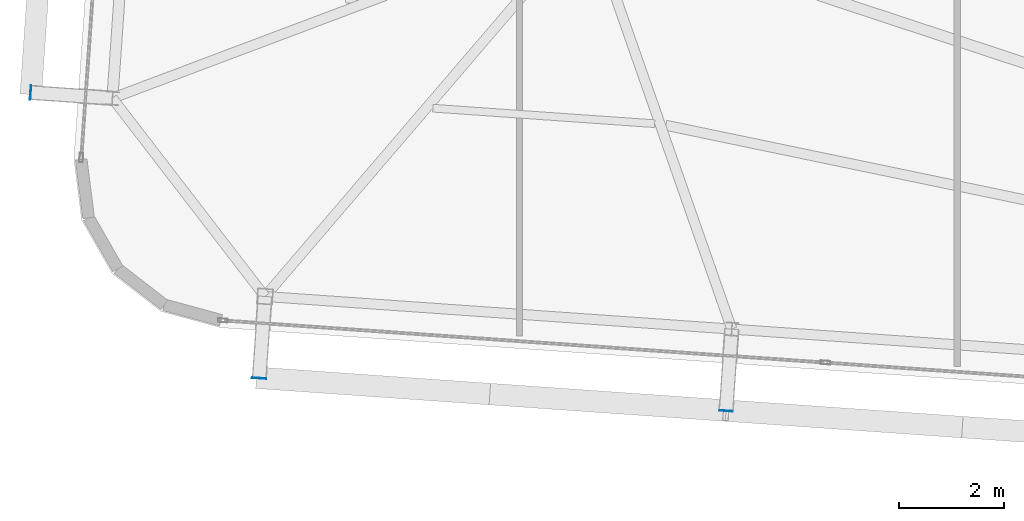
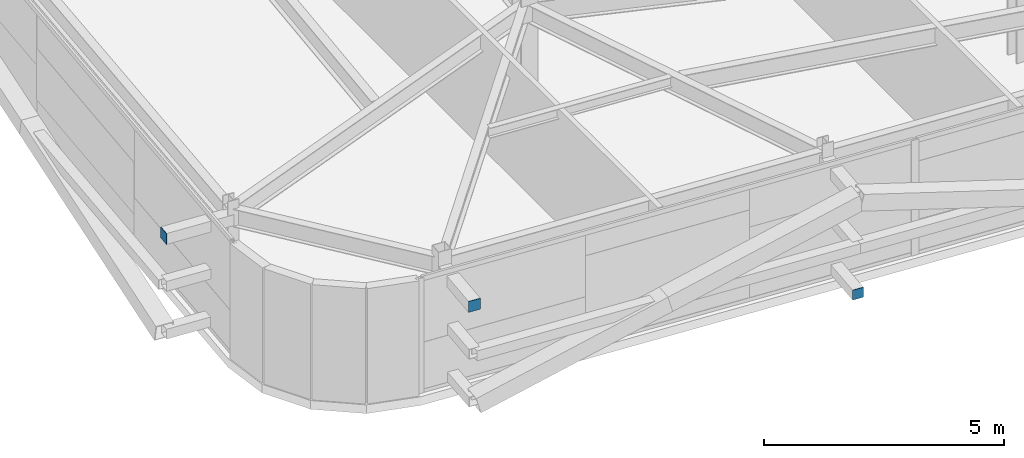
# One storey, part 27 of 39: 3 plates.
"""IFC4 building model written with IfcOpenShell, lengths in metres."""

from ifc_helpers import new_model, si_unit, direction, frame, origin, origin_2d, place, context, subcontext, project, spatial, rectangle, extrude, source, transform, mapped, material, layer, layer_set, type_object, element, save


model = new_model("IFC4")

# Units and contexts
model_context = context("Model", 3, precision=1e-05, world=origin(), true_north=direction((0.0, 1.0)))
body_context = subcontext(model_context, "Body", "Model", "MODEL_VIEW")
ifc_project = project(units=[si_unit("LENGTHUNIT", "METRE"), si_unit("AREAUNIT", "SQUARE_METRE"), si_unit("VOLUMEUNIT", "CUBIC_METRE"), si_unit("PLANEANGLEUNIT", "RADIAN"), si_unit("MASSUNIT", "GRAM", prefix="KILO")], contexts=[model_context])

# Site, building, storey
site_placement = place(None, origin())
site = spatial("IfcSite", under=ifc_project, at=site_placement, CompositionType="ELEMENT")
building_placement = place(site_placement, origin())
building = spatial("IfcBuilding", under=site, at=building_placement, Name="Taldren Reach Tower", CompositionType="ELEMENT")
storey_placement = place(building_placement, frame((0.0, 0.0, 145.60009765625)))
storey = spatial("IfcBuildingStorey", under=building, at=storey_placement, Name="L44", CompositionType="ELEMENT", Elevation=145.60009765625)

# Plates
ifc_material_1 = material(Name="Steel Gr 450 (C450L0)", Category="steel")
ifc_layer_1 = layer(ifc_material_1, 0.011962890625)
ifc_layer_set_1 = layer_set([ifc_layer_1], Name="Steel Gr 450 (C450L0)")
plate_type_1 = type_object("IfcPlateType", Name="PL-CAP-275", PredefinedType="SHEET", material=ifc_layer_set_1)
shared_shape_1 = source(origin(), body_context, "Body", "SweptSolid", [
    extrude(rectangle(XDim=0.27490234375, YDim=0.011962890625, at=origin_2d()), origin(), (0.0, 0.0, 1.0), 0.27490234375),
])
plate_1_placement = place(storey_placement, frame((11.755126953125, 3.7861328125, 2.512451171875), z_axis=(0.0, 0.0, 1.0), x_axis=(0.99756405026, -0.069756473744, 0.0)))
element("IfcPlate", 1, at=plate_1_placement, inside=storey, type_object=plate_type_1, Name="Tie strut end cap plate B3-S1 L44", PredefinedType="SHEET", context=body_context, shape_type="MappedRepresentation", body=[
    mapped(shared_shape_1, transform((0.0, 0.0, 0.0), scale=1.0)),
])
shared_shape_2 = source(origin(), body_context, "Body", "SweptSolid", [
    extrude(rectangle(XDim=0.011962890625, YDim=0.27490234375, at=origin_2d()), origin(), (0.0, 0.0, 1.0), 0.27490234375),
])
plate_2_placement = place(storey_placement, frame((7.416748046875, 9.2080078125, 2.512451171875), z_axis=(0.0, 0.0, 1.0), x_axis=(0.99756405026, -0.069756473744, 0.0)))
element("IfcPlate", 2, at=plate_2_placement, inside=storey, type_object=plate_type_1, Name="Tie strut end cap plate B3-W1 L44", PredefinedType="SHEET", context=body_context, shape_type="MappedRepresentation", body=[
    mapped(shared_shape_2, transform((0.0, 0.0, 0.0), scale=1.0)),
])
ifc_material_2 = material(Name="Steel Gr 350 (C350L0)", Category="steel")
ifc_layer_2 = layer(ifc_material_2, 0.011962890625)
ifc_layer_set_2 = layer_set([ifc_layer_2], Name="Steel Gr 350 (C350L0)")
plate_type_2 = type_object("IfcPlateType", Name="PL-CAP-250", PredefinedType="SHEET", material=ifc_layer_set_2)
shared_shape_3 = source(origin(), body_context, "Body", "SweptSolid", [
    extrude(rectangle(XDim=0.25, YDim=0.011962890625, at=origin_2d()), origin(), (0.0, 0.0, 1.0), 0.25),
])
plate_3_placement = place(storey_placement, frame((20.61328125, 3.166748046875, 0.094970703125), z_axis=(0.0, 0.0, 1.0), x_axis=(0.99756405026, -0.069756473744, 0.0)))
element("IfcPlate", 3, at=plate_3_placement, inside=storey, type_object=plate_type_2, Name="Tie strut end cap plate B3-S2 L44", PredefinedType="SHEET", context=body_context, shape_type="MappedRepresentation", body=[
    mapped(shared_shape_3, transform((0.0, 0.0, 0.0), scale=1.0)),
])

save(model, "model.ifc")
